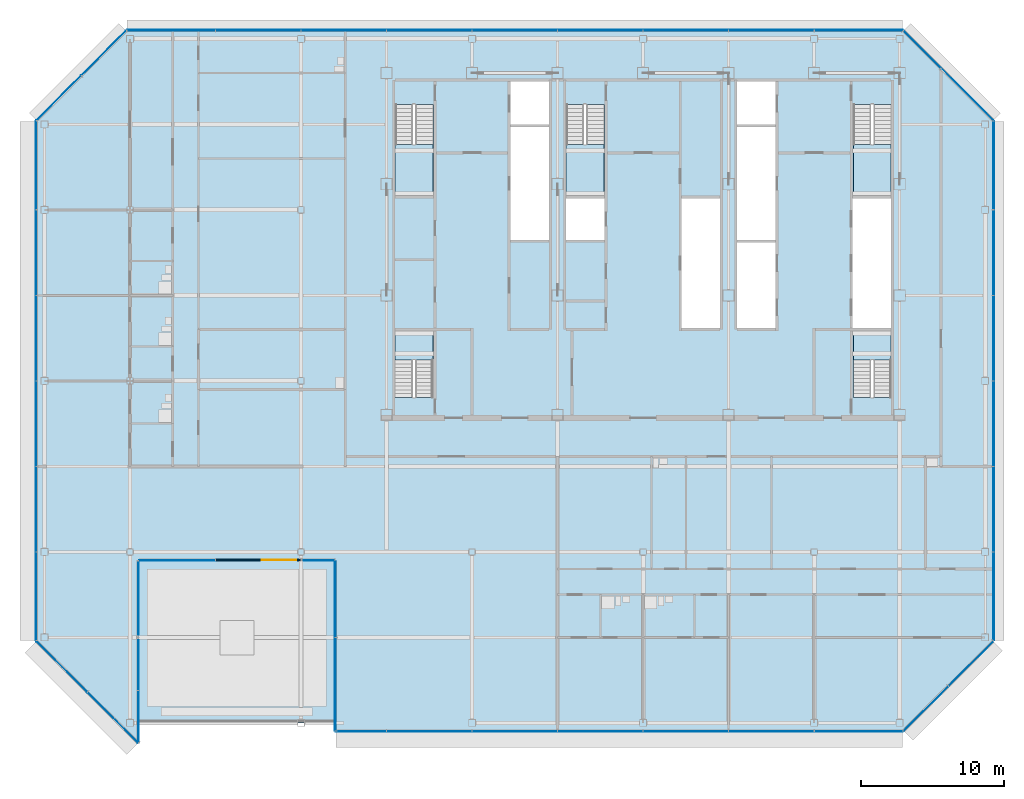
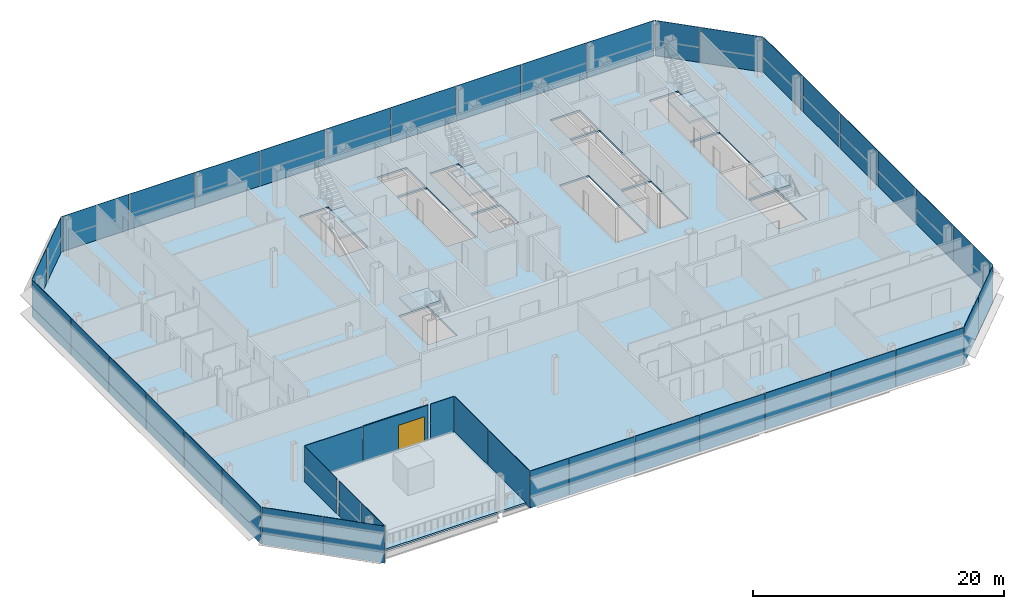
# One storey, part 22 of 31: 43 plates, 7 slabs, 1 door, 1 wall, 1 opening, 16 elements without a shape of their own.
"""IFC4 building model written with IfcOpenShell, lengths in metres."""

from ifc_helpers import new_model, si_unit, direction, frame, frame_2d, origin, origin_2d, place, context, subcontext, project, spatial, polyline, rectangle, outline, extrude, material, layer, layer_set, type_object, element, fill, aggregate, save


model = new_model("IFC4")

# Units and contexts
model_context = context("Model", 3, precision=1e-05, world=origin(), true_north=direction((0.0, 1.0)))
body_context = subcontext(model_context, "Body", "Model", "MODEL_VIEW")
ifc_project = project(units=[si_unit("LENGTHUNIT", "METRE"), si_unit("AREAUNIT", "SQUARE_METRE"), si_unit("VOLUMEUNIT", "CUBIC_METRE"), si_unit("PLANEANGLEUNIT", "RADIAN"), si_unit("MASSUNIT", "GRAM", prefix="KILO")], contexts=[model_context])

# Site, building, storey
site_placement = place(None, origin())
site = spatial("IfcSite", under=ifc_project, at=site_placement, CompositionType="ELEMENT")
building_placement = place(site_placement, origin())
building = spatial("IfcBuilding", under=site, at=building_placement, Name="Sorahane Residences", CompositionType="ELEMENT")
storey_placement = place(building_placement, frame((0.0, 0.0, 319.60009765625)))
storey = spatial("IfcBuildingStorey", under=building, at=storey_placement, Name="L76", CompositionType="ELEMENT", Elevation=319.60009765625)

# Slab
ifc_material_1 = material(Name="Concrete C35", Category="concrete")
ifc_layer_1 = layer(ifc_material_1, 0.179931640625)
ifc_layer_set_1 = layer_set([ifc_layer_1], Name="Composite floor slab 180 mm Concrete C35")
slab_type_1 = type_object("IfcSlabType", Name="Composite floor slab 180 mm Concrete C35", PredefinedType="FLOOR", material=ifc_layer_set_1)
slab_1_placement = place(storey_placement, frame((0.0, 0.0, -0.18017578125)))
element("IfcSlab", 1, at=slab_1_placement, inside=storey, type_object=slab_type_1, Name="Slab L76", PredefinedType="FLOOR", context=body_context, shape_type="SweptSolid", body=[
    extrude(outline(polyline([(-18.60009765625, 5.75146484375), (-18.60009765625, 42.24853515625), (-12.24853515625, 48.60009765625), (42.24853515625, 48.60009765625), (48.60009765625, 42.24853515625), (48.60009765625, 5.75146484375), (42.24853515625, -0.60009765625), (2.39990234375, -0.60009765625), (2.39990234375, 11.39990234375), (-11.39990234375, 11.39990234375), (-11.39990234375, -1.448486328125), (-18.60009765625, 5.75146484375)]), holes=[polyline([(38.699951171875, 27.699951171875), (41.39990234375, 27.699951171875), (41.39990234375, 36.800048828125), (38.699951171875, 36.800048828125), (38.699951171875, 27.699951171875)]), polyline([(30.60009765625, 27.699951171875), (33.300048828125, 27.699951171875), (33.300048828125, 33.699951171875), (30.60009765625, 33.699951171875), (30.60009765625, 27.699951171875)]), polyline([(30.60009765625, 42.0), (33.300048828125, 42.0), (33.300048828125, 45.0), (30.60009765625, 45.0), (30.60009765625, 42.0)]), polyline([(14.699951171875, 42.0), (17.39990234375, 42.0), (17.39990234375, 45.0), (14.699951171875, 45.0), (14.699951171875, 42.0)]), polyline([(6.60009765625, 43.39990234375), (6.60009765625, 37.0), (9.25, 37.0), (9.25, 43.39990234375), (6.60009765625, 43.39990234375)]), polyline([(38.75, 43.39990234375), (38.75, 37.0), (41.39990234375, 37.0), (41.39990234375, 43.39990234375), (38.75, 43.39990234375)]), polyline([(18.60009765625, 43.39990234375), (18.60009765625, 37.0), (21.25, 37.0), (21.25, 43.39990234375), (18.60009765625, 43.39990234375)]), polyline([(9.25, 22.85009765625), (9.25, 27.5), (6.60009765625, 27.5), (6.60009765625, 22.85009765625), (9.25, 22.85009765625)]), polyline([(41.39990234375, 22.85009765625), (41.39990234375, 27.5), (38.75, 27.5), (38.75, 22.85009765625), (41.39990234375, 22.85009765625)]), polyline([(14.699951171875, 33.89990234375), (17.39990234375, 33.89990234375), (17.39990234375, 41.800048828125), (14.699951171875, 41.800048828125), (14.699951171875, 33.89990234375)]), polyline([(30.60009765625, 33.89990234375), (33.300048828125, 33.89990234375), (33.300048828125, 41.800048828125), (30.60009765625, 41.800048828125), (30.60009765625, 33.89990234375)]), polyline([(18.60009765625, 33.89990234375), (21.300048828125, 33.89990234375), (21.300048828125, 36.800048828125), (18.60009765625, 36.800048828125), (18.60009765625, 33.89990234375)]), polyline([(26.699951171875, 27.699951171875), (29.39990234375, 27.699951171875), (29.39990234375, 36.800048828125), (26.699951171875, 36.800048828125), (26.699951171875, 27.699951171875)])]), origin(), (0.0, 0.0, 1.0), 0.18017578125),
])

# Curtain wall, plates
ifc_material_2 = material(Name="Dark low-e glass and black anodised aluminium", Category="aluminium")
curtain_wall_type_1 = type_object("IfcCurtainWallType", Name="Curtain wall CW-2 Chamfer unitised wall", PredefinedType="NOTDEFINED", material=ifc_material_2)
curtain_wall_1_placement = place(storey_placement, origin())
curtain_wall_1 = element("IfcCurtainWall", 2, at=curtain_wall_1_placement, inside=storey, type_object=curtain_wall_type_1, Name="CW-2 curtain wall L76 SW1", PredefinedType="NOTDEFINED")
ifc_material_3 = material(Name="Dark low-e glass with black ceramic frit", Category="glass")
ifc_layer_2 = layer(ifc_material_3, 0.0400390625)
ifc_layer_set_2 = layer_set([ifc_layer_2], Name="Curtain wall glass panel dark low-e with black frit spandrel band")
plate_type = type_object("IfcPlateType", Name="Curtain wall glass panel dark low-e with black frit spandrel band", PredefinedType="CURTAIN_PANEL", material=ifc_layer_set_2)
plate_1_placement = place(storey_placement, frame((-16.791259765625, 3.942626953125, -0.18017578125), z_axis=(0.0, 0.0, 1.0), x_axis=(0.707106781187, -0.707106781187, 0.0)))
plate_1 = element("IfcPlate", 3, at=plate_1_placement, type_object=plate_type, Name="CW-2 glass panel L76 SW1.1", PredefinedType="CURTAIN_PANEL", context=body_context, shape_type="SweptSolid", body=[
    extrude(rectangle(XDim=5.01611328125, YDim=0.0400390625, at=origin_2d()), origin(), (0.0, 0.0, 1.0), 3.60009765625),
])
plate_2_placement = place(storey_placement, frame((-13.208740234375, 0.3603515625, -0.18017578125), z_axis=(0.0, 0.0, 1.0), x_axis=(0.707106781187, -0.707106781187, 0.0)))
plate_2 = element("IfcPlate", 4, at=plate_2_placement, type_object=plate_type, Name="CW-2 glass panel L76 SW1.2", PredefinedType="CURTAIN_PANEL", context=body_context, shape_type="SweptSolid", body=[
    extrude(rectangle(XDim=5.01611328125, YDim=0.0400390625, at=origin_2d()), origin(), (0.0, 0.0, 1.0), 3.60009765625),
])
aggregate(curtain_wall_1, [plate_1, plate_2])

ifc_material_4 = material(Name="Dark low-e glass and black anodised aluminium", Category="aluminium")
curtain_wall_type_2 = type_object("IfcCurtainWallType", Name="Curtain wall CW-1 Typical unitised wall", PredefinedType="NOTDEFINED", material=ifc_material_4)
curtain_wall_2_placement = place(storey_placement, origin())
curtain_wall_2 = element("IfcCurtainWall", 5, at=curtain_wall_2_placement, inside=storey, type_object=curtain_wall_type_2, Name="CW-1 curtain wall L76 E1", PredefinedType="NOTDEFINED")
plate_3_placement = place(storey_placement, frame((-11.39990234375, 0.426025390625, -0.18017578125), z_axis=(0.0, 0.0, 1.0), x_axis=(0.0, 1.0, 0.0)))
plate_3 = element("IfcPlate", 6, at=plate_3_placement, type_object=plate_type, Name="CW-1 glass panel L76 E1.1", PredefinedType="CURTAIN_PANEL", context=body_context, shape_type="SweptSolid", body=[
    extrude(rectangle(XDim=3.649169921875, YDim=0.0400390625, at=origin_2d()), origin(), (0.0, 0.0, 1.0), 3.60009765625),
])
plate_4_placement = place(storey_placement, frame((-11.39990234375, 4.05029296875, -0.18017578125), z_axis=(0.0, 0.0, 1.0), x_axis=(0.0, 1.0, 0.0)))
plate_4 = element("IfcPlate", 7, at=plate_4_placement, type_object=plate_type, Name="CW-1 glass panel L76 E1.2", PredefinedType="CURTAIN_PANEL", context=body_context, shape_type="SweptSolid", body=[
    extrude(rectangle(XDim=3.499267578125, YDim=0.0400390625, at=origin_2d()), origin(), (0.0, 0.0, 1.0), 3.60009765625),
])
plate_5_placement = place(storey_placement, frame((-11.39990234375, 8.77490234375, -0.18017578125), z_axis=(0.0, 0.0, 1.0), x_axis=(0.0, 1.0, 0.0)))
plate_5 = element("IfcPlate", 8, at=plate_5_placement, type_object=plate_type, Name="CW-1 glass panel L76 E1.3", PredefinedType="CURTAIN_PANEL", context=body_context, shape_type="SweptSolid", body=[
    extrude(rectangle(XDim=5.14990234375, YDim=0.0400390625, at=origin_2d()), origin(), (0.0, 0.0, 1.0), 3.60009765625),
])
aggregate(curtain_wall_2, [plate_3, plate_4, plate_5])

curtain_wall_3_placement = place(storey_placement, origin())
curtain_wall_3 = element("IfcCurtainWall", 9, at=curtain_wall_3_placement, inside=storey, type_object=curtain_wall_type_2, Name="CW-1 curtain wall L76 S1", PredefinedType="NOTDEFINED")
plate_6_placement = place(storey_placement, frame((-8.6875, 11.39990234375, -0.18017578125), z_axis=(0.0, 0.0, 1.0), x_axis=(1.0, 0.0, 0.0)))
plate_6 = element("IfcPlate", 10, at=plate_6_placement, type_object=plate_type, Name="CW-1 glass panel L76 S1.1", PredefinedType="CURTAIN_PANEL", context=body_context, shape_type="SweptSolid", body=[
    extrude(rectangle(XDim=5.324951171875, YDim=0.0400390625, at=origin_2d()), origin(), (0.0, 0.0, 1.0), 3.60009765625),
])
plate_7_placement = place(storey_placement, frame((1.27490234375, 11.39990234375, -0.18017578125), z_axis=(0.0, 0.0, 1.0), x_axis=(1.0, 0.0, 0.0)))
plate_7 = element("IfcPlate", 11, at=plate_7_placement, type_object=plate_type, Name="CW-1 glass panel L76 S1.3", PredefinedType="CURTAIN_PANEL", context=body_context, shape_type="SweptSolid", body=[
    extrude(rectangle(XDim=2.14990234375, YDim=0.0400390625, at=origin_2d()), origin(), (0.0, 0.0, 1.0), 3.60009765625),
])
aggregate(curtain_wall_3, [plate_6, plate_7])

curtain_wall_4_placement = place(storey_placement, origin())
curtain_wall_4 = element("IfcCurtainWall", 12, at=curtain_wall_4_placement, inside=storey, type_object=curtain_wall_type_2, Name="CW-1 curtain wall L76 W1", PredefinedType="NOTDEFINED")
plate_8_placement = place(storey_placement, frame((2.39990234375, 8.6875, -0.18017578125), z_axis=(0.0, 0.0, 1.0), x_axis=(0.0, -1.0, 0.0)))
plate_8 = element("IfcPlate", 13, at=plate_8_placement, type_object=plate_type, Name="CW-1 glass panel L76 W1.1", PredefinedType="CURTAIN_PANEL", context=body_context, shape_type="SweptSolid", body=[
    extrude(rectangle(XDim=5.324951171875, YDim=0.0400390625, at=origin_2d()), origin(), (0.0, 0.0, 1.0), 3.60009765625),
])
plate_9_placement = place(storey_placement, frame((2.39990234375, 2.71240234375, -0.18017578125), z_axis=(0.0, 0.0, 1.0), x_axis=(0.0, -1.0, 0.0)))
plate_9 = element("IfcPlate", 14, at=plate_9_placement, type_object=plate_type, Name="CW-1 glass panel L76 W1.2", PredefinedType="CURTAIN_PANEL", context=body_context, shape_type="SweptSolid", body=[
    extrude(rectangle(XDim=6.52490234375, YDim=0.0400390625, at=origin_2d()), origin(), (0.0, 0.0, 1.0), 3.60009765625),
])
aggregate(curtain_wall_4, [plate_8, plate_9])

curtain_wall_5_placement = place(storey_placement, origin())
curtain_wall_5 = element("IfcCurtainWall", 15, at=curtain_wall_5_placement, inside=storey, type_object=curtain_wall_type_2, Name="CW-1 curtain wall L76 S2", PredefinedType="NOTDEFINED")
plate_10_placement = place(storey_placement, frame((4.21240234375, -0.60009765625, -0.18017578125), z_axis=(0.0, 0.0, 1.0), x_axis=(1.0, 0.0, 0.0)))
plate_10 = element("IfcPlate", 16, at=plate_10_placement, type_object=plate_type, Name="CW-1 glass panel L76 S2.1", PredefinedType="CURTAIN_PANEL", context=body_context, shape_type="SweptSolid", body=[
    extrude(rectangle(XDim=3.52490234375, YDim=0.0400390625, at=origin_2d()), origin(), (0.0, 0.0, 1.0), 3.60009765625),
])
plate_11_placement = place(storey_placement, frame((9.0, -0.60009765625, -0.18017578125), z_axis=(0.0, 0.0, 1.0), x_axis=(1.0, 0.0, 0.0)))
plate_11 = element("IfcPlate", 17, at=plate_11_placement, type_object=plate_type, Name="CW-1 glass panel L76 S2.2", PredefinedType="CURTAIN_PANEL", context=body_context, shape_type="SweptSolid", body=[
    extrude(rectangle(XDim=5.949951171875, YDim=0.0400390625, at=origin_2d()), origin(), (0.0, 0.0, 1.0), 3.60009765625),
])
plate_12_placement = place(storey_placement, frame((15.0, -0.60009765625, -0.18017578125), z_axis=(0.0, 0.0, 1.0), x_axis=(1.0, 0.0, 0.0)))
plate_12 = element("IfcPlate", 18, at=plate_12_placement, type_object=plate_type, Name="CW-1 glass panel L76 S2.3", PredefinedType="CURTAIN_PANEL", context=body_context, shape_type="SweptSolid", body=[
    extrude(rectangle(XDim=5.949951171875, YDim=0.0400390625, at=origin_2d()), origin(), (0.0, 0.0, 1.0), 3.60009765625),
])
plate_13_placement = place(storey_placement, frame((21.0, -0.60009765625, -0.18017578125), z_axis=(0.0, 0.0, 1.0), x_axis=(1.0, 0.0, 0.0)))
plate_13 = element("IfcPlate", 19, at=plate_13_placement, type_object=plate_type, Name="CW-1 glass panel L76 S2.4", PredefinedType="CURTAIN_PANEL", context=body_context, shape_type="SweptSolid", body=[
    extrude(rectangle(XDim=5.949951171875, YDim=0.0400390625, at=origin_2d()), origin(), (0.0, 0.0, 1.0), 3.60009765625),
])
plate_14_placement = place(storey_placement, frame((27.0, -0.60009765625, -0.18017578125), z_axis=(0.0, 0.0, 1.0), x_axis=(1.0, 0.0, 0.0)))
plate_14 = element("IfcPlate", 20, at=plate_14_placement, type_object=plate_type, Name="CW-1 glass panel L76 S2.5", PredefinedType="CURTAIN_PANEL", context=body_context, shape_type="SweptSolid", body=[
    extrude(rectangle(XDim=5.949951171875, YDim=0.0400390625, at=origin_2d()), origin(), (0.0, 0.0, 1.0), 3.60009765625),
])
plate_15_placement = place(storey_placement, frame((33.0, -0.60009765625, -0.18017578125), z_axis=(0.0, 0.0, 1.0), x_axis=(1.0, 0.0, 0.0)))
plate_15 = element("IfcPlate", 21, at=plate_15_placement, type_object=plate_type, Name="CW-1 glass panel L76 S2.6", PredefinedType="CURTAIN_PANEL", context=body_context, shape_type="SweptSolid", body=[
    extrude(rectangle(XDim=5.949951171875, YDim=0.0400390625, at=origin_2d()), origin(), (0.0, 0.0, 1.0), 3.60009765625),
])
plate_16_placement = place(storey_placement, frame((39.11181640625, -0.60009765625, -0.18017578125), z_axis=(0.0, 0.0, 1.0), x_axis=(1.0, 0.0, 0.0)))
plate_16 = element("IfcPlate", 22, at=plate_16_placement, type_object=plate_type, Name="CW-1 glass panel L76 S2.7", PredefinedType="CURTAIN_PANEL", context=body_context, shape_type="SweptSolid", body=[
    extrude(rectangle(XDim=6.173583984375, YDim=0.0400390625, at=origin_2d()), origin(), (0.0, 0.0, 1.0), 3.60009765625),
])
aggregate(curtain_wall_5, [plate_10, plate_11, plate_12, plate_13, plate_14, plate_15, plate_16])

curtain_wall_6_placement = place(storey_placement, origin())
curtain_wall_6 = element("IfcCurtainWall", 23, at=curtain_wall_6_placement, inside=storey, type_object=curtain_wall_type_1, Name="CW-2 curtain wall L76 SE1", PredefinedType="NOTDEFINED")
plate_17_placement = place(storey_placement, frame((43.84521484375, 0.996826171875, -0.18017578125), z_axis=(0.0, 0.0, 1.0), x_axis=(0.707106781187, 0.707106781187, 0.0)))
plate_17 = element("IfcPlate", 24, at=plate_17_placement, type_object=plate_type, Name="CW-2 glass panel L76 SE1.1", PredefinedType="CURTAIN_PANEL", context=body_context, shape_type="SweptSolid", body=[
    extrude(rectangle(XDim=4.416259765625, YDim=0.0400390625, at=origin_2d()), origin(), (0.0, 0.0, 1.0), 3.60009765625),
])
plate_18_placement = place(storey_placement, frame((47.003173828125, 4.15478515625, -0.18017578125), z_axis=(0.0, 0.0, 1.0), x_axis=(0.707106781187, 0.707106781187, 0.0)))
plate_18 = element("IfcPlate", 25, at=plate_18_placement, type_object=plate_type, Name="CW-2 glass panel L76 SE1.2", PredefinedType="CURTAIN_PANEL", context=body_context, shape_type="SweptSolid", body=[
    extrude(rectangle(XDim=4.416259765625, YDim=0.0400390625, at=origin_2d()), origin(), (0.0, 0.0, 1.0), 3.60009765625),
])
aggregate(curtain_wall_6, [plate_17, plate_18])

curtain_wall_7_placement = place(storey_placement, origin())
curtain_wall_7 = element("IfcCurtainWall", 26, at=curtain_wall_7_placement, inside=storey, type_object=curtain_wall_type_2, Name="CW-1 curtain wall L76 E2", PredefinedType="NOTDEFINED")
plate_19_placement = place(storey_placement, frame((48.60009765625, 8.88818359375, -0.18017578125), z_axis=(0.0, 0.0, 1.0), x_axis=(0.0, 1.0, 0.0)))
plate_19 = element("IfcPlate", 27, at=plate_19_placement, type_object=plate_type, Name="CW-1 glass panel L76 E2.1", PredefinedType="CURTAIN_PANEL", context=body_context, shape_type="SweptSolid", body=[
    extrude(rectangle(XDim=6.173583984375, YDim=0.0400390625, at=origin_2d()), origin(), (0.0, 0.0, 1.0), 3.60009765625),
])
plate_20_placement = place(storey_placement, frame((48.60009765625, 15.0, -0.18017578125), z_axis=(0.0, 0.0, 1.0), x_axis=(0.0, 1.0, 0.0)))
plate_20 = element("IfcPlate", 28, at=plate_20_placement, type_object=plate_type, Name="CW-1 glass panel L76 E2.2", PredefinedType="CURTAIN_PANEL", context=body_context, shape_type="SweptSolid", body=[
    extrude(rectangle(XDim=5.949951171875, YDim=0.0400390625, at=origin_2d()), origin(), (0.0, 0.0, 1.0), 3.60009765625),
])
plate_21_placement = place(storey_placement, frame((48.60009765625, 21.0, -0.18017578125), z_axis=(0.0, 0.0, 1.0), x_axis=(0.0, 1.0, 0.0)))
plate_21 = element("IfcPlate", 29, at=plate_21_placement, type_object=plate_type, Name="CW-1 glass panel L76 E2.3", PredefinedType="CURTAIN_PANEL", context=body_context, shape_type="SweptSolid", body=[
    extrude(rectangle(XDim=5.949951171875, YDim=0.0400390625, at=origin_2d()), origin(), (0.0, 0.0, 1.0), 3.60009765625),
])
plate_22_placement = place(storey_placement, frame((48.60009765625, 27.0, -0.18017578125), z_axis=(0.0, 0.0, 1.0), x_axis=(0.0, 1.0, 0.0)))
plate_22 = element("IfcPlate", 30, at=plate_22_placement, type_object=plate_type, Name="CW-1 glass panel L76 E2.4", PredefinedType="CURTAIN_PANEL", context=body_context, shape_type="SweptSolid", body=[
    extrude(rectangle(XDim=5.949951171875, YDim=0.0400390625, at=origin_2d()), origin(), (0.0, 0.0, 1.0), 3.60009765625),
])
plate_23_placement = place(storey_placement, frame((48.60009765625, 33.0, -0.18017578125), z_axis=(0.0, 0.0, 1.0), x_axis=(0.0, 1.0, 0.0)))
plate_23 = element("IfcPlate", 31, at=plate_23_placement, type_object=plate_type, Name="CW-1 glass panel L76 E2.5", PredefinedType="CURTAIN_PANEL", context=body_context, shape_type="SweptSolid", body=[
    extrude(rectangle(XDim=5.949951171875, YDim=0.0400390625, at=origin_2d()), origin(), (0.0, 0.0, 1.0), 3.60009765625),
])
plate_24_placement = place(storey_placement, frame((48.60009765625, 39.11181640625, -0.18017578125), z_axis=(0.0, 0.0, 1.0), x_axis=(0.0, 1.0, 0.0)))
plate_24 = element("IfcPlate", 32, at=plate_24_placement, type_object=plate_type, Name="CW-1 glass panel L76 E2.6", PredefinedType="CURTAIN_PANEL", context=body_context, shape_type="SweptSolid", body=[
    extrude(rectangle(XDim=6.173583984375, YDim=0.0400390625, at=origin_2d()), origin(), (0.0, 0.0, 1.0), 3.60009765625),
])
aggregate(curtain_wall_7, [plate_19, plate_20, plate_21, plate_22, plate_23, plate_24])

curtain_wall_8_placement = place(storey_placement, origin())
curtain_wall_8 = element("IfcCurtainWall", 33, at=curtain_wall_8_placement, inside=storey, type_object=curtain_wall_type_1, Name="CW-2 curtain wall L76 NE1", PredefinedType="NOTDEFINED")
plate_25_placement = place(storey_placement, frame((46.740966796875, 44.107421875, -0.18017578125), z_axis=(0.0, 0.0, 1.0), x_axis=(-0.707106781187, 0.707106781187, 0.0)))
plate_25 = element("IfcPlate", 34, at=plate_25_placement, type_object=plate_type, Name="CW-2 glass panel L76 NE1.1", PredefinedType="CURTAIN_PANEL", context=body_context, shape_type="SweptSolid", body=[
    extrude(rectangle(XDim=5.157958984375, YDim=0.0400390625, at=origin_2d()), origin(), (0.0, 0.0, 1.0), 3.60009765625),
])
plate_26_placement = place(storey_placement, frame((43.5830078125, 47.265625, -0.18017578125), z_axis=(0.0, 0.0, 1.0), x_axis=(-0.707106781187, 0.707106781187, 0.0)))
plate_26 = element("IfcPlate", 35, at=plate_26_placement, type_object=plate_type, Name="CW-2 glass panel L76 NE1.2", PredefinedType="CURTAIN_PANEL", context=body_context, shape_type="SweptSolid", body=[
    extrude(rectangle(XDim=3.67431640625, YDim=0.0400390625, at=origin_2d()), origin(), (0.0, 0.0, 1.0), 3.60009765625),
])
aggregate(curtain_wall_8, [plate_25, plate_26])

curtain_wall_9_placement = place(storey_placement, origin())
curtain_wall_9 = element("IfcCurtainWall", 36, at=curtain_wall_9_placement, inside=storey, type_object=curtain_wall_type_2, Name="CW-1 curtain wall L76 N1", PredefinedType="NOTDEFINED")
plate_27_placement = place(storey_placement, frame((39.11181640625, 48.60009765625, -0.18017578125), z_axis=(0.0, 0.0, 1.0), x_axis=(-1.0, 0.0, 0.0)))
plate_27 = element("IfcPlate", 37, at=plate_27_placement, type_object=plate_type, Name="CW-1 glass panel L76 N1.1", PredefinedType="CURTAIN_PANEL", context=body_context, shape_type="SweptSolid", body=[
    extrude(rectangle(XDim=6.173583984375, YDim=0.0400390625, at=origin_2d()), origin(), (0.0, 0.0, 1.0), 3.60009765625),
])
plate_28_placement = place(storey_placement, frame((33.0, 48.60009765625, -0.18017578125), z_axis=(0.0, 0.0, 1.0), x_axis=(-1.0, 0.0, 0.0)))
plate_28 = element("IfcPlate", 38, at=plate_28_placement, type_object=plate_type, Name="CW-1 glass panel L76 N1.2", PredefinedType="CURTAIN_PANEL", context=body_context, shape_type="SweptSolid", body=[
    extrude(rectangle(XDim=5.949951171875, YDim=0.0400390625, at=origin_2d()), origin(), (0.0, 0.0, 1.0), 3.60009765625),
])
plate_29_placement = place(storey_placement, frame((27.0, 48.60009765625, -0.18017578125), z_axis=(0.0, 0.0, 1.0), x_axis=(-1.0, 0.0, 0.0)))
plate_29 = element("IfcPlate", 39, at=plate_29_placement, type_object=plate_type, Name="CW-1 glass panel L76 N1.3", PredefinedType="CURTAIN_PANEL", context=body_context, shape_type="SweptSolid", body=[
    extrude(rectangle(XDim=5.949951171875, YDim=0.0400390625, at=origin_2d()), origin(), (0.0, 0.0, 1.0), 3.60009765625),
])
plate_30_placement = place(storey_placement, frame((21.0, 48.60009765625, -0.18017578125), z_axis=(0.0, 0.0, 1.0), x_axis=(-1.0, 0.0, 0.0)))
plate_30 = element("IfcPlate", 40, at=plate_30_placement, type_object=plate_type, Name="CW-1 glass panel L76 N1.4", PredefinedType="CURTAIN_PANEL", context=body_context, shape_type="SweptSolid", body=[
    extrude(rectangle(XDim=5.949951171875, YDim=0.0400390625, at=origin_2d()), origin(), (0.0, 0.0, 1.0), 3.60009765625),
])
plate_31_placement = place(storey_placement, frame((15.0, 48.60009765625, -0.18017578125), z_axis=(0.0, 0.0, 1.0), x_axis=(-1.0, 0.0, 0.0)))
plate_31 = element("IfcPlate", 41, at=plate_31_placement, type_object=plate_type, Name="CW-1 glass panel L76 N1.5", PredefinedType="CURTAIN_PANEL", context=body_context, shape_type="SweptSolid", body=[
    extrude(rectangle(XDim=5.949951171875, YDim=0.0400390625, at=origin_2d()), origin(), (0.0, 0.0, 1.0), 3.60009765625),
])
plate_32_placement = place(storey_placement, frame((9.0, 48.60009765625, -0.18017578125), z_axis=(0.0, 0.0, 1.0), x_axis=(-1.0, 0.0, 0.0)))
plate_32 = element("IfcPlate", 42, at=plate_32_placement, type_object=plate_type, Name="CW-1 glass panel L76 N1.6", PredefinedType="CURTAIN_PANEL", context=body_context, shape_type="SweptSolid", body=[
    extrude(rectangle(XDim=5.949951171875, YDim=0.0400390625, at=origin_2d()), origin(), (0.0, 0.0, 1.0), 3.60009765625),
])
plate_33_placement = place(storey_placement, frame((3.0, 48.60009765625, -0.18017578125), z_axis=(0.0, 0.0, 1.0), x_axis=(-1.0, 0.0, 0.0)))
plate_33 = element("IfcPlate", 43, at=plate_33_placement, type_object=plate_type, Name="CW-1 glass panel L76 N1.7", PredefinedType="CURTAIN_PANEL", context=body_context, shape_type="SweptSolid", body=[
    extrude(rectangle(XDim=5.949951171875, YDim=0.0400390625, at=origin_2d()), origin(), (0.0, 0.0, 1.0), 3.60009765625),
])
plate_34_placement = place(storey_placement, frame((-3.0, 48.60009765625, -0.18017578125), z_axis=(0.0, 0.0, 1.0), x_axis=(-1.0, 0.0, 0.0)))
plate_34 = element("IfcPlate", 44, at=plate_34_placement, type_object=plate_type, Name="CW-1 glass panel L76 N1.8", PredefinedType="CURTAIN_PANEL", context=body_context, shape_type="SweptSolid", body=[
    extrude(rectangle(XDim=5.949951171875, YDim=0.0400390625, at=origin_2d()), origin(), (0.0, 0.0, 1.0), 3.60009765625),
])
plate_35_placement = place(storey_placement, frame((-9.11181640625, 48.60009765625, -0.18017578125), z_axis=(0.0, 0.0, 1.0), x_axis=(-1.0, 0.0, 0.0)))
plate_35 = element("IfcPlate", 45, at=plate_35_placement, type_object=plate_type, Name="CW-1 glass panel L76 N1.9", PredefinedType="CURTAIN_PANEL", context=body_context, shape_type="SweptSolid", body=[
    extrude(rectangle(XDim=6.173583984375, YDim=0.0400390625, at=origin_2d()), origin(), (0.0, 0.0, 1.0), 3.60009765625),
])
aggregate(curtain_wall_9, [plate_27, plate_28, plate_29, plate_30, plate_31, plate_32, plate_33, plate_34, plate_35])

curtain_wall_10_placement = place(storey_placement, origin())
curtain_wall_10 = element("IfcCurtainWall", 46, at=curtain_wall_10_placement, inside=storey, type_object=curtain_wall_type_1, Name="CW-2 curtain wall L76 NW1", PredefinedType="NOTDEFINED")
plate_36_placement = place(storey_placement, frame((-13.84521484375, 47.003173828125, -0.18017578125), z_axis=(0.0, 0.0, 1.0), x_axis=(-0.707106781187, -0.707106781187, 0.0)))
plate_36 = element("IfcPlate", 47, at=plate_36_placement, type_object=plate_type, Name="CW-2 glass panel L76 NW1.1", PredefinedType="CURTAIN_PANEL", context=body_context, shape_type="SweptSolid", body=[
    extrude(rectangle(XDim=4.416259765625, YDim=0.0400390625, at=origin_2d()), origin(), (0.0, 0.0, 1.0), 3.60009765625),
])
plate_37_placement = place(storey_placement, frame((-17.003173828125, 43.84521484375, -0.18017578125), z_axis=(0.0, 0.0, 1.0), x_axis=(-0.707106781187, -0.707106781187, 0.0)))
plate_37 = element("IfcPlate", 48, at=plate_37_placement, type_object=plate_type, Name="CW-2 glass panel L76 NW1.2", PredefinedType="CURTAIN_PANEL", context=body_context, shape_type="SweptSolid", body=[
    extrude(rectangle(XDim=4.416259765625, YDim=0.0400390625, at=origin_2d()), origin(), (0.0, 0.0, 1.0), 3.60009765625),
])
aggregate(curtain_wall_10, [plate_36, plate_37])

curtain_wall_11_placement = place(storey_placement, origin())
curtain_wall_11 = element("IfcCurtainWall", 49, at=curtain_wall_11_placement, inside=storey, type_object=curtain_wall_type_2, Name="CW-1 curtain wall L76 W2", PredefinedType="NOTDEFINED")
plate_38_placement = place(storey_placement, frame((-18.60009765625, 39.11181640625, -0.18017578125), z_axis=(0.0, 0.0, 1.0), x_axis=(0.0, -1.0, 0.0)))
plate_38 = element("IfcPlate", 50, at=plate_38_placement, type_object=plate_type, Name="CW-1 glass panel L76 W2.1", PredefinedType="CURTAIN_PANEL", context=body_context, shape_type="SweptSolid", body=[
    extrude(rectangle(XDim=6.173583984375, YDim=0.0400390625, at=origin_2d()), origin(), (0.0, 0.0, 1.0), 3.60009765625),
])
plate_39_placement = place(storey_placement, frame((-18.60009765625, 33.0, -0.18017578125), z_axis=(0.0, 0.0, 1.0), x_axis=(0.0, -1.0, 0.0)))
plate_39 = element("IfcPlate", 51, at=plate_39_placement, type_object=plate_type, Name="CW-1 glass panel L76 W2.2", PredefinedType="CURTAIN_PANEL", context=body_context, shape_type="SweptSolid", body=[
    extrude(rectangle(XDim=5.949951171875, YDim=0.0400390625, at=origin_2d()), origin(), (0.0, 0.0, 1.0), 3.60009765625),
])
plate_40_placement = place(storey_placement, frame((-18.60009765625, 27.0, -0.18017578125), z_axis=(0.0, 0.0, 1.0), x_axis=(0.0, -1.0, 0.0)))
plate_40 = element("IfcPlate", 52, at=plate_40_placement, type_object=plate_type, Name="CW-1 glass panel L76 W2.3", PredefinedType="CURTAIN_PANEL", context=body_context, shape_type="SweptSolid", body=[
    extrude(rectangle(XDim=5.949951171875, YDim=0.0400390625, at=origin_2d()), origin(), (0.0, 0.0, 1.0), 3.60009765625),
])
plate_41_placement = place(storey_placement, frame((-18.60009765625, 21.0, -0.18017578125), z_axis=(0.0, 0.0, 1.0), x_axis=(0.0, -1.0, 0.0)))
plate_41 = element("IfcPlate", 53, at=plate_41_placement, type_object=plate_type, Name="CW-1 glass panel L76 W2.4", PredefinedType="CURTAIN_PANEL", context=body_context, shape_type="SweptSolid", body=[
    extrude(rectangle(XDim=5.949951171875, YDim=0.0400390625, at=origin_2d()), origin(), (0.0, 0.0, 1.0), 3.60009765625),
])
plate_42_placement = place(storey_placement, frame((-18.60009765625, 15.0, -0.18017578125), z_axis=(0.0, 0.0, 1.0), x_axis=(0.0, -1.0, 0.0)))
plate_42 = element("IfcPlate", 54, at=plate_42_placement, type_object=plate_type, Name="CW-1 glass panel L76 W2.5", PredefinedType="CURTAIN_PANEL", context=body_context, shape_type="SweptSolid", body=[
    extrude(rectangle(XDim=5.949951171875, YDim=0.0400390625, at=origin_2d()), origin(), (0.0, 0.0, 1.0), 3.60009765625),
])
plate_43_placement = place(storey_placement, frame((-18.60009765625, 8.88818359375, -0.18017578125), z_axis=(0.0, 0.0, 1.0), x_axis=(0.0, -1.0, 0.0)))
plate_43 = element("IfcPlate", 55, at=plate_43_placement, type_object=plate_type, Name="CW-1 glass panel L76 W2.6", PredefinedType="CURTAIN_PANEL", context=body_context, shape_type="SweptSolid", body=[
    extrude(rectangle(XDim=6.173583984375, YDim=0.0400390625, at=origin_2d()), origin(), (0.0, 0.0, 1.0), 3.60009765625),
])
aggregate(curtain_wall_11, [plate_38, plate_39, plate_40, plate_41, plate_42, plate_43])

# Stair, slab
ifc_material_5 = material(Name="Concrete C40", Category="concrete")
stair_type = type_object("IfcStairType", Name="Dog-leg stair 1250 Concrete C40", PredefinedType="HALF_TURN_STAIR", material=ifc_material_5)
stair_1_placement = place(storey_placement, origin())
stair_1 = element("IfcStair", 56, at=stair_1_placement, inside=storey, type_object=stair_type, Name="L76 Stair S1", PredefinedType="HALF_TURN_STAIR")
ifc_material_6 = material(Name="Concrete C40", Category="concrete")
ifc_layer_3 = layer(ifc_material_6, 0.199951171875)
ifc_layer_set_3 = layer_set([ifc_layer_3], Name="Stair landing 200 Concrete C40")
slab_type_2 = type_object("IfcSlabType", Name="Stair landing 200 Concrete C40", PredefinedType="LANDING", material=ifc_layer_set_3)
slab_2_placement = place(storey_placement, frame((0.0, 0.0, 1.599853515625)))
slab_2 = element("IfcSlab", 57, at=slab_2_placement, type_object=slab_type_2, Name="S1 landing 1", PredefinedType="LANDING", context=body_context, shape_type="SweptSolid", body=[
    extrude(outline(polyline([(6.60009765625, 40.60009765625), (6.60009765625, 37.0), (9.25, 37.0), (9.25, 40.60009765625), (6.60009765625, 40.60009765625)])), origin(), (0.0, 0.0, 1.0), 0.199951171875),
])
aggregate(stair_1, [slab_2])

stair_2_placement = place(storey_placement, origin())
stair_2 = element("IfcStair", 58, at=stair_2_placement, inside=storey, type_object=stair_type, Name="L76 Stair S2", PredefinedType="HALF_TURN_STAIR")
slab_3_placement = place(storey_placement, frame((0.0, 0.0, 1.599853515625)))
slab_3 = element("IfcSlab", 59, at=slab_3_placement, type_object=slab_type_2, Name="S2 landing 1", PredefinedType="LANDING", context=body_context, shape_type="SweptSolid", body=[
    extrude(outline(polyline([(38.75, 40.60009765625), (38.75, 37.0), (41.39990234375, 37.0), (41.39990234375, 40.60009765625), (38.75, 40.60009765625)])), origin(), (0.0, 0.0, 1.0), 0.199951171875),
])
aggregate(stair_2, [slab_3])

stair_3_placement = place(storey_placement, origin())
stair_3 = element("IfcStair", 60, at=stair_3_placement, inside=storey, type_object=stair_type, Name="L76 Stair S3", PredefinedType="HALF_TURN_STAIR")
slab_4_placement = place(storey_placement, frame((0.0, 0.0, 1.599853515625)))
slab_4 = element("IfcSlab", 61, at=slab_4_placement, type_object=slab_type_2, Name="S3 landing 1", PredefinedType="LANDING", context=body_context, shape_type="SweptSolid", body=[
    extrude(outline(polyline([(18.60009765625, 40.60009765625), (18.60009765625, 37.0), (21.25, 37.0), (21.25, 40.60009765625), (18.60009765625, 40.60009765625)])), origin(), (0.0, 0.0, 1.0), 0.199951171875),
])
aggregate(stair_3, [slab_4])

stair_4_placement = place(storey_placement, origin())
stair_4 = element("IfcStair", 62, at=stair_4_placement, inside=storey, type_object=stair_type, Name="L76 Stair S4", PredefinedType="HALF_TURN_STAIR")
slab_5_placement = place(storey_placement, frame((0.0, 0.0, 1.599853515625)))
slab_5 = element("IfcSlab", 63, at=slab_5_placement, type_object=slab_type_2, Name="S4 landing 1", PredefinedType="LANDING", context=body_context, shape_type="SweptSolid", body=[
    extrude(outline(polyline([(9.25, 25.449951171875), (9.25, 27.5), (6.60009765625, 27.5), (6.60009765625, 25.449951171875), (9.25, 25.449951171875)])), origin(), (0.0, 0.0, 1.0), 0.199951171875),
])
aggregate(stair_4, [slab_5])

stair_5_placement = place(storey_placement, origin())
stair_5 = element("IfcStair", 64, at=stair_5_placement, inside=storey, type_object=stair_type, Name="L76 Stair S5", PredefinedType="HALF_TURN_STAIR")
slab_6_placement = place(storey_placement, frame((0.0, 0.0, 1.599853515625)))
slab_6 = element("IfcSlab", 65, at=slab_6_placement, type_object=slab_type_2, Name="S5 landing 1", PredefinedType="LANDING", context=body_context, shape_type="SweptSolid", body=[
    extrude(outline(polyline([(41.39990234375, 25.449951171875), (41.39990234375, 27.5), (38.75, 27.5), (38.75, 25.449951171875), (41.39990234375, 25.449951171875)])), origin(), (0.0, 0.0, 1.0), 0.199951171875),
])
aggregate(stair_5, [slab_6])

# Slab
ifc_material_7 = material(Name="Concrete C35", Category="concrete")
ifc_layer_4 = layer(ifc_material_7, 0.179931640625)
ifc_layer_set_4 = layer_set([ifc_layer_4], Name="Terrace slab Concrete C35 paved")
slab_type_3 = type_object("IfcSlabType", Name="Terrace slab Concrete C35 paved", PredefinedType="FLOOR", material=ifc_layer_set_4)
slab_7_placement = place(storey_placement, frame((0.0, 0.0, -0.18017578125)))
element("IfcSlab", 66, at=slab_7_placement, inside=storey, type_object=slab_type_3, Name="Terrace slab L76.1", PredefinedType="FLOOR", context=body_context, shape_type="SweptSolid", body=[
    extrude(outline(polyline([(-11.39990234375, 0.0), (-11.39990234375, 11.39990234375), (2.39990234375, 11.39990234375), (2.39990234375, 0.0), (-11.39990234375, 0.0)])), origin(), (0.0, 0.0, 1.0), 0.18017578125),
])

# Wall, opening, door
ifc_material_8 = material(Name="Toughened low-iron glass", Category="glass")
ifc_layer_5 = layer(ifc_material_8, 0.10009765625)
ifc_layer_set_5 = layer_set([ifc_layer_5], Name="Glazed door screen toughened low-iron glass 100")
wall_type = type_object("IfcWallType", Name="Glazed door screen toughened low-iron glass 100", PredefinedType="SOLIDWALL", material=ifc_layer_set_5)
wall_placement = place(storey_placement, frame((-5.97509765625, 11.429931640625, 0.0), z_axis=(0.0, 0.0, 1.0), x_axis=(1.0, 0.0, 0.0)))
wall = element("IfcWall", 67, at=wall_placement, inside=storey, type_object=wall_type, Name="Glazed door screen L76 S1.2", PredefinedType="SOLIDWALL", context=body_context, shape_type="SweptSolid", body=[
    extrude(rectangle(XDim=5.9501953125, YDim=0.10009765625, at=frame_2d((2.97509765625, 0.0))), origin(), (0.0, 0.0, 1.0), 3.419921875),
])
opening_placement = place(wall_placement, frame((3.22509765625, 0.0, 0.0)))
opening = element("IfcOpeningElement", 68, at=opening_placement, cuts=wall, Name="Opening L76-F01", PredefinedType="OPENING", context=body_context, shape_type="SweptSolid", body=[
    extrude(rectangle(XDim=2.39990234375, YDim=2.39990234375, at=frame_2d((1.199951171875, 1.199951171875))), frame((0.0, 0.06005859375, 0.0), z_axis=(0.0, -1.0, 0.0), x_axis=(1.0, 0.0, 0.0)), (0.0, 0.0, 1.0), 0.1201171875),
])
ifc_material_9 = material(Name="Black anodised aluminium and low-iron glass", Category="aluminium")
door_type = type_object("IfcDoorType", Name="Glazed terrace door black aluminium 2400x2400", OperationType="DOUBLE_DOOR_SINGLE_SWING", PredefinedType="DOOR", material=ifc_material_9)
door_placement = place(opening_placement, origin())
door = element("IfcDoor", 69, at=door_placement, inside=storey, type_object=door_type, Name="Terrace door L76-F01", OperationType="DOUBLE_DOOR_SINGLE_SWING", OverallHeight=2.39990234375, OverallWidth=2.39990234375, PredefinedType="DOOR", context=body_context, shape_type="SweptSolid", body=[
    extrude(rectangle(XDim=2.39990234375, YDim=2.39990234375, at=frame_2d((1.199951171875, 1.199951171875))), frame((0.0, 0.02490234375, 0.0), z_axis=(0.0, -1.0, 0.0), x_axis=(1.0, 0.0, 0.0)), (0.0, 0.0, 1.0), 0.050048828125),
])
fill(opening, door)

save(model, "model.ifc")
